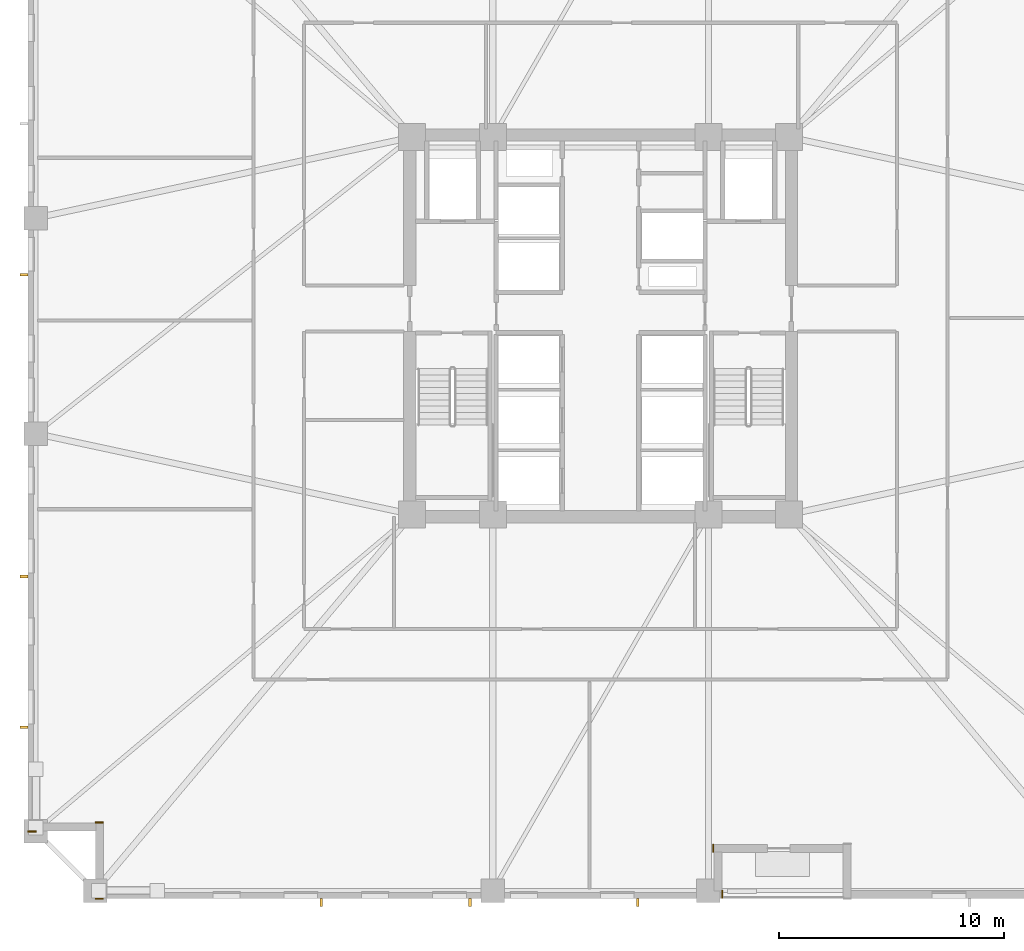
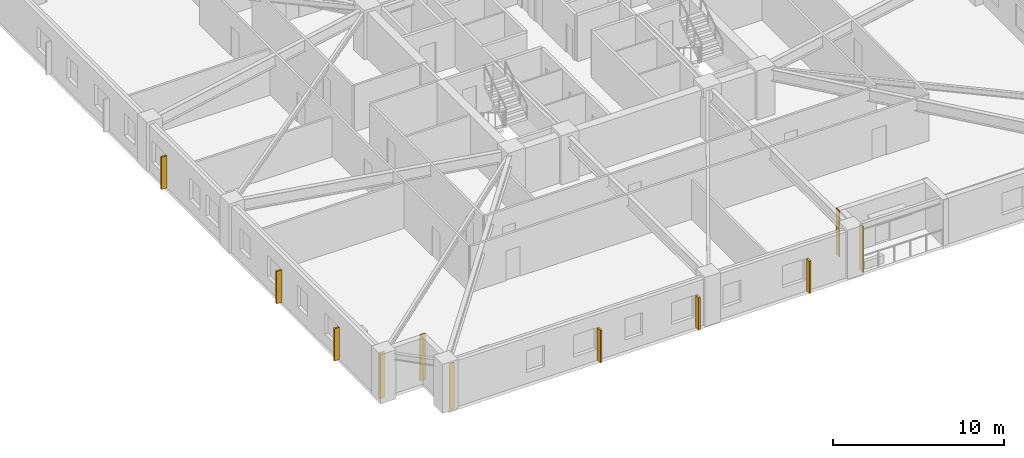
# One storey, part 7 of 11: 6 shading devices, 5 coverings.
"""IFC4 building model written with IfcOpenShell, lengths in metres."""

from ifc_helpers import new_model, si_unit, direction, frame, frame_2d, origin, origin_2d, place, context, subcontext, project, spatial, rectangle, extrude, material, layer, layer_set, type_object, element, save


model = new_model("IFC4")

# Units and contexts
model_context = context("Model", 3, precision=1e-05, world=origin(), true_north=direction((0.0, 1.0)))
body_context = subcontext(model_context, "Body", "Model", "MODEL_VIEW")
ifc_project = project(units=[si_unit("LENGTHUNIT", "METRE"), si_unit("AREAUNIT", "SQUARE_METRE"), si_unit("VOLUMEUNIT", "CUBIC_METRE"), si_unit("PLANEANGLEUNIT", "RADIAN"), si_unit("MASSUNIT", "GRAM", prefix="KILO")], contexts=[model_context])

# Site, building, storey
site_placement = place(None, origin())
site = spatial("IfcSite", under=ifc_project, at=site_placement, CompositionType="ELEMENT")
building_placement = place(site_placement, origin())
building = spatial("IfcBuilding", under=site, at=building_placement, Name="Cairnveth Concourse Tower", CompositionType="ELEMENT")
storey_placement = place(building_placement, frame((0.0, 0.0, 44.5)))
storey = spatial("IfcBuildingStorey", under=building, at=storey_placement, Name="L11", CompositionType="ELEMENT", Elevation=44.5)

# Coverings
ifc_material_1 = material(Name="Dressed Melbourne Bluestone Cladding", Category="masonry")
ifc_layer = layer(ifc_material_1, 0.050048828125)
ifc_layer_set = layer_set([ifc_layer], Name="Dressed Melbourne Bluestone Cladding")
covering_type = type_object("IfcCoveringType", Name="DRESSED BLUESTONE PLINTH CLADDING 50", PredefinedType="CLADDING", material=ifc_layer_set)
for number, where, z_axis, x_axis, name in (
    (1, (57.419921875, 13.860107421875, 0.0), (0.0, 0.0, 1.0), (0.0, -1.0, 0.0), "Melbourne Bluestone Corner Quoin L11-119"),
    (2, (29.860107421875, 13.47998046875, 0.0), (0.0, 0.0, 1.0), (-1.0, 0.0, 0.0), "Melbourne Bluestone Corner Quoin L11-120"),
    (3, (29.860107421875, 16.8798828125, 0.0), (0.0, 0.0, 1.0), (-1.0, 0.0, 0.0), "Melbourne Bluestone Corner Quoin L11-121"),
    (4, (26.860107421875, 16.47998046875, 0.0), (0.0, 0.0, 1.0), (-1.0, 0.0, 0.0), "Melbourne Bluestone Corner Quoin L11-122"),
):
    element("IfcCovering", number, at=place(storey_placement, frame(where, z_axis=z_axis, x_axis=x_axis)), inside=storey, type_object=covering_type, Name=name, PredefinedType="CLADDING", context=body_context, shape_type="SweptSolid", body=[
        extrude(rectangle(XDim=0.360107421875, YDim=0.050048828125, at=frame_2d((0.18017578125, 0.0))), origin(), (0.0, 0.0, 1.0), 3.280029296875),
    ])
covering_placement = place(storey_placement, frame((57.02001953125, 15.909912109375, 0.0), z_axis=(0.0, 0.0, 1.0), x_axis=(0.0, -1.0, 0.0)))
element("IfcCovering", 5, at=covering_placement, inside=storey, type_object=covering_type, Name="Melbourne Bluestone Corner Quoin L11-134", PredefinedType="CLADDING", context=body_context, shape_type="SweptSolid", body=[
    extrude(rectangle(XDim=0.35986328125, YDim=0.050048828125, at=frame_2d((0.179931640625, 0.0))), origin(), (0.0, 0.0, 1.0), 3.280029296875),
])

# Shading devices
ifc_material_2 = material(Name="Architectural Bronze Anodised Aluminium 6063-T6", Category="aluminium")
shading_device_type = type_object("IfcShadingDeviceType", Name="GOTHIC BRONZE VERTICAL LANCET FIN", PredefinedType="USERDEFINED", material=ifc_material_2)
for number, where, z_axis, x_axis, name in (
    (6, (53.65478515625, 13.324951171875, 0.02978515625), (0.0, 0.0, 1.0), (1.0, 0.0, 0.0), "Gothic Bronze Vertical Fin L11-0-1"),
    (7, (46.18408203125, 13.324951171875, 0.02978515625), (0.0, 0.0, 1.0), (1.0, 0.0, 0.0), "Gothic Bronze Vertical Fin L11-0-3"),
    (8, (39.5634765625, 13.324951171875, 0.02978515625), (0.0, 0.0, 1.0), (1.0, 0.0, 0.0), "Gothic Bronze Vertical Fin L11-0-5"),
    (9, (26.324951171875, 21.1201171875, 0.02978515625), (0.0, 0.0, 1.0), (0.0, 1.0, 0.0), "Gothic Bronze Vertical Fin L11-3-1"),
    (10, (26.324951171875, 27.840576171875, 0.02978515625), (0.0, 0.0, 1.0), (0.0, 1.0, 0.0), "Gothic Bronze Vertical Fin L11-3-3"),
    (11, (26.324951171875, 41.28125, 0.02978515625), (0.0, 0.0, 1.0), (0.0, 1.0, 0.0), "Gothic Bronze Vertical Fin L11-3-7"),
):
    element("IfcShadingDevice", number, at=place(storey_placement, frame(where, z_axis=z_axis, x_axis=x_axis)), inside=storey, type_object=shading_device_type, Name=name, ObjectType="VERTICAL FIN", PredefinedType="USERDEFINED", context=body_context, shape_type="SweptSolid", body=[
        extrude(rectangle(XDim=0.1201171875, YDim=0.360107421875, at=origin_2d()), origin(), (0.0, 0.0, 1.0), 2.303955078125),
    ])

save(model, "model.ifc")
